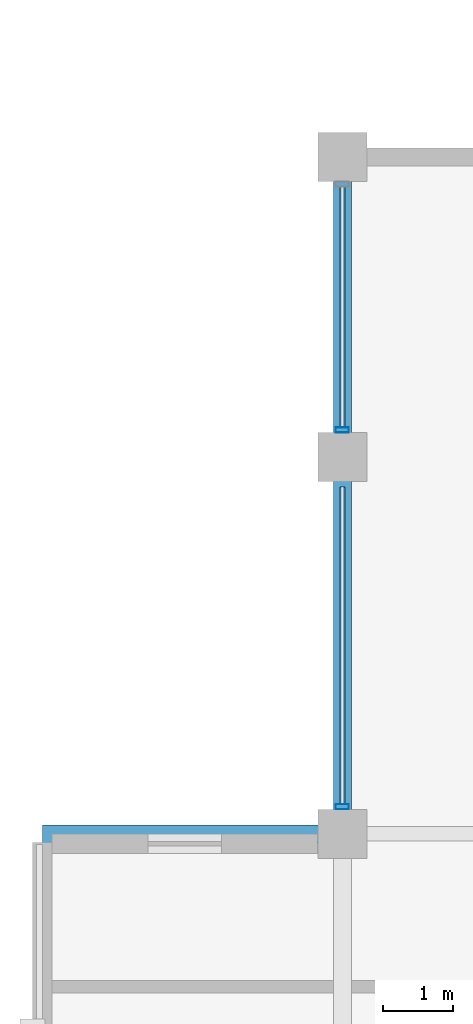
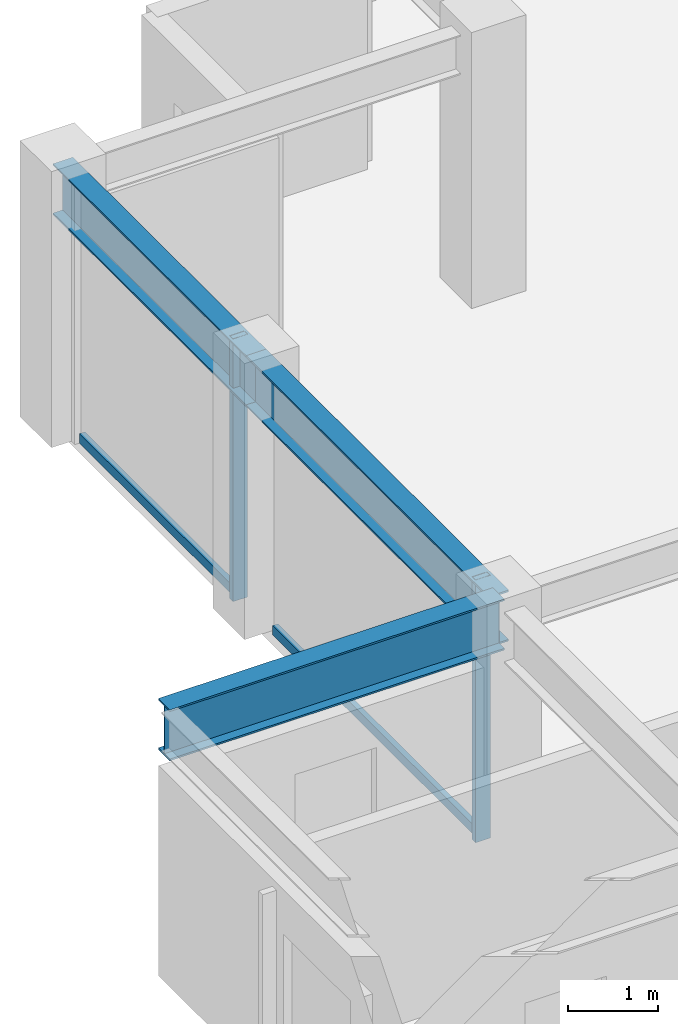
# One storey, part 13 of 31: 4 members, 3 beams, 1 element without a shape of its own.
"""IFC4 building model written with IfcOpenShell, lengths in metres."""

from ifc_helpers import new_model, si_unit, direction, frame, origin, origin_2d, place, context, subcontext, project, spatial, hollow_rectangle, i_section, extrude, material, layer, layer_set, material_profile, profile_set, type_object, element, aggregate, save


model = new_model("IFC4")

# Units and contexts
model_context = context("Model", 3, precision=1e-05, world=origin(), true_north=direction((0.0, 1.0)))
body_context = subcontext(model_context, "Body", "Model", "MODEL_VIEW")
ifc_project = project(units=[si_unit("LENGTHUNIT", "METRE"), si_unit("AREAUNIT", "SQUARE_METRE"), si_unit("VOLUMEUNIT", "CUBIC_METRE"), si_unit("PLANEANGLEUNIT", "RADIAN"), si_unit("MASSUNIT", "GRAM", prefix="KILO")], contexts=[model_context])

# Site, building, storey
site_placement = place(None, origin())
site = spatial("IfcSite", under=ifc_project, at=site_placement, CompositionType="ELEMENT")
building_placement = place(site_placement, origin())
building = spatial("IfcBuilding", under=site, at=building_placement, Name="Surkhivell Harbour Commons", CompositionType="ELEMENT")
storey_placement = place(building_placement, frame((0.0, 0.0, 262.5)))
storey = spatial("IfcBuildingStorey", under=building, at=storey_placement, Name="L68", CompositionType="ELEMENT", Elevation=262.5)

# Beams
ifc_material_1 = material(Name="Steel S460", Category="steel")
ifc_material_profile_1 = material_profile(ifc_material_1, i_section(OverallWidth=0.256103515625, OverallDepth=0.693115234375, WebThickness=0.014404296875, FlangeThickness=0.023681640625, at=origin_2d()), Name="UB686x254x170")
ifc_profile_set_1 = profile_set([ifc_material_profile_1], Name="Steel S460")
beam_type_1 = type_object("IfcBeamType", Name="BM-CNT-686", PredefinedType="BEAM", material=ifc_profile_set_1)
beam_1_placement = place(storey_placement, frame((-27.0, 10.800048828125, 3.223388671875), z_axis=(-1.0, 0.0, 0.0), x_axis=(0.0, -1.0, 0.0)))
element("IfcBeam", 1, at=beam_1_placement, inside=storey, type_object=beam_type_1, Name="L68 Box Cantilever Outrigger (-27.0,10.8)", PredefinedType="BEAM", context=body_context, shape_type="SweptSolid", body=[
    extrude(i_section(OverallWidth=0.256103515625, OverallDepth=0.693115234375, WebThickness=0.014404296875, FlangeThickness=0.023681640625, at=origin_2d()), origin(), (0.0, 0.0, 1.0), 4.300048828125),
])
ifc_material_2 = material(Name="Steel S355", Category="steel")
ifc_material_profile_2 = material_profile(ifc_material_2, i_section(OverallWidth=0.256103515625, OverallDepth=0.693115234375, WebThickness=0.014404296875, FlangeThickness=0.023681640625, at=origin_2d()), Name="UB686x254x170")
ifc_profile_set_2 = profile_set([ifc_material_profile_2], Name="Steel S355")
beam_type_2 = type_object("IfcBeamType", Name="BM-SPN-686", PredefinedType="SPANDREL", material=ifc_profile_set_2)
beam_2_placement = place(storey_placement, frame((-27.0, 10.800048828125, 3.223388671875), z_axis=(0.0, 1.0, 0.0), x_axis=(-1.0, 0.0, 0.0)))
element("IfcBeam", 2, at=beam_2_placement, inside=storey, type_object=beam_type_2, Name="L68 Tube Spandrel (-27.0,10.8)", PredefinedType="SPANDREL", context=body_context, shape_type="SweptSolid", body=[
    extrude(i_section(OverallWidth=0.256103515625, OverallDepth=0.693115234375, WebThickness=0.014404296875, FlangeThickness=0.023681640625, at=origin_2d()), origin(), (0.0, 0.0, 1.0), 5.39990234375),
])
beam_3_placement = place(storey_placement, frame((-27.0, 16.199951171875, 3.223388671875), z_axis=(0.0, 1.0, 0.0), x_axis=(-1.0, 0.0, 0.0)))
element("IfcBeam", 3, at=beam_3_placement, inside=storey, type_object=beam_type_2, Name="L68 Tube Spandrel (-27.0,16.2)", PredefinedType="SPANDREL", context=body_context, shape_type="SweptSolid", body=[
    extrude(i_section(OverallWidth=0.256103515625, OverallDepth=0.693115234375, WebThickness=0.014404296875, FlangeThickness=0.023681640625, at=origin_2d()), origin(), (0.0, 0.0, 1.0), 4.300048828125),
])

# Curtain wall, members
ifc_material_3 = material(Name="Anodised pale-metal aluminium and insulated glazing", Category="aluminium")
ifc_layer = layer(ifc_material_3, 0.175048828125)
ifc_layer_set = layer_set([ifc_layer], Name="Anodised pale-metal aluminium and insulated glazing")
curtain_wall_type = type_object("IfcCurtainWallType", Name="CW-SYS-Z4", PredefinedType="NOTDEFINED", material=ifc_layer_set)
curtain_wall_placement = place(storey_placement, origin())
curtain_wall = element("IfcCurtainWall", 4, at=curtain_wall_placement, inside=storey, type_object=curtain_wall_type, Name="L68 Curtain Wall CW-L68-E12R2", PredefinedType="NOTDEFINED")
ifc_material_4 = material(Name="Anodised pale-metal aluminium alloy 6063-T6", Category="aluminium")
ifc_material_profile_3 = material_profile(ifc_material_4, hollow_rectangle(XDim=0.074951171875, YDim=0.18994140625, WallThickness=0.00390625, at=origin_2d()), Name="ALU-MULL-75x190")
ifc_profile_set_3 = profile_set([ifc_material_profile_3], Name="Anodised pale-metal aluminium alloy 6063-T6")
member_type_1 = type_object("IfcMemberType", Name="CWM-190", PredefinedType="MULLION", material=ifc_profile_set_3)
member_1_placement = place(storey_placement, frame((-27.0, 11.189453125, 0.0), z_axis=(0.0, 0.0, 1.0), x_axis=(0.0, 1.0, 0.0)))
member_1 = element("IfcMember", 5, at=member_1_placement, type_object=member_type_1, Name="CW-Z4 mullion 1", PredefinedType="MULLION", context=body_context, shape_type="SweptSolid", body=[
    extrude(hollow_rectangle(XDim=0.074951171875, YDim=0.18994140625, WallThickness=0.00390625, at=origin_2d()), origin(), (0.0, 0.0, 1.0), 3.570068359375),
])
member_2_placement = place(storey_placement, frame((-27.0, 16.589599609375, 0.0), z_axis=(0.0, 0.0, 1.0), x_axis=(0.0, 1.0, 0.0)))
member_2 = element("IfcMember", 6, at=member_2_placement, type_object=member_type_1, Name="CW-Z4 mullion 2", PredefinedType="MULLION", context=body_context, shape_type="SweptSolid", body=[
    extrude(hollow_rectangle(XDim=0.074951171875, YDim=0.18994140625, WallThickness=0.00390625, at=origin_2d()), origin(), (0.0, 0.0, 1.0), 3.570068359375),
])
ifc_material_5 = material(Name="Champagne anodised aluminium alloy 6063-T6", Category="aluminium")
ifc_material_profile_4 = material_profile(ifc_material_5, hollow_rectangle(XDim=0.070068359375, YDim=0.1298828125, WallThickness=0.00341796875, at=origin_2d()), Name="ALU-TRAN-70x130")
ifc_profile_set_4 = profile_set([ifc_material_profile_4], Name="Champagne anodised aluminium alloy 6063-T6")
member_type_2 = type_object("IfcMemberType", Name="CWT-130", PredefinedType="USERDEFINED", material=ifc_profile_set_4)
member_3_placement = place(storey_placement, frame((-27.0, 11.22705078125, 0.06494140625), z_axis=(0.0, 1.0, 0.0), x_axis=(-1.0, 0.0, 0.0)))
member_3 = element("IfcMember", 7, at=member_3_placement, type_object=member_type_2, Name="CW-Z4 transom 1.1", ObjectType="TRANSOM", PredefinedType="USERDEFINED", context=body_context, shape_type="SweptSolid", body=[
    extrude(hollow_rectangle(XDim=0.070068359375, YDim=0.1298828125, WallThickness=0.00341796875, at=origin_2d()), origin(), (0.0, 0.0, 1.0), 4.5458984375),
])
member_4_placement = place(storey_placement, frame((-27.0, 16.626953125, 0.06494140625), z_axis=(0.0, 1.0, 0.0), x_axis=(-1.0, 0.0, 0.0)))
member_4 = element("IfcMember", 8, at=member_4_placement, type_object=member_type_2, Name="CW-Z4 transom 2.1", ObjectType="TRANSOM", PredefinedType="USERDEFINED", context=body_context, shape_type="SweptSolid", body=[
    extrude(hollow_rectangle(XDim=0.070068359375, YDim=0.1298828125, WallThickness=0.00341796875, at=origin_2d()), origin(), (0.0, 0.0, 1.0), 3.446044921875),
])
aggregate(curtain_wall, [member_1, member_3, member_2, member_4])

save(model, "model.ifc")
